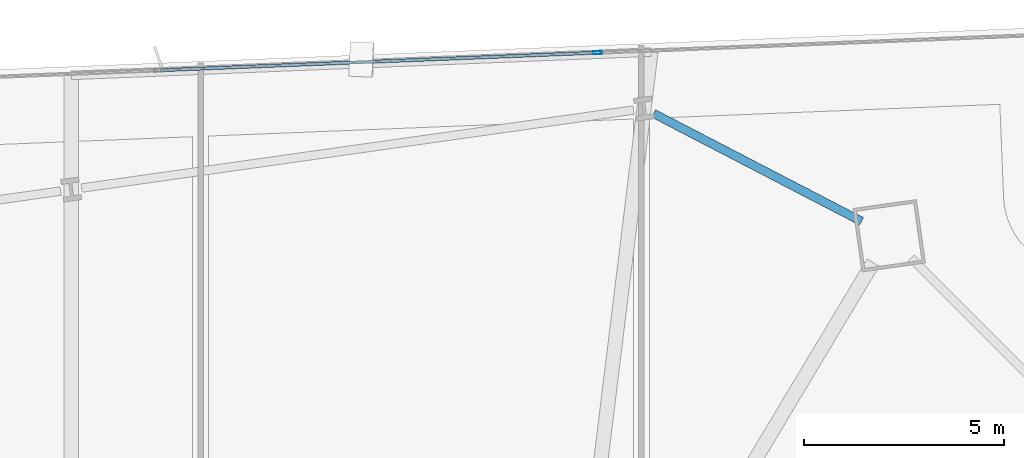
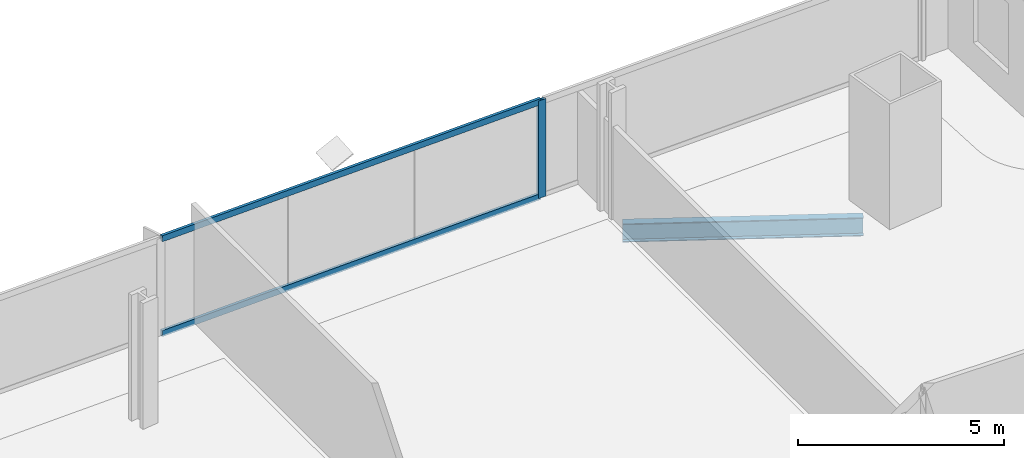
# One storey, part 22 of 32: 3 members, 1 beam, 1 element without a shape of its own.
"""IFC4 building model written with IfcOpenShell, lengths in metres."""

from ifc_helpers import new_model, si_unit, direction, frame, origin, origin_2d, place, context, subcontext, project, spatial, hollow_rectangle, i_section, extrude, material, material_profile, profile_set, type_object, element, aggregate, save


model = new_model("IFC4")

# Units and contexts
model_context = context("Model", 3, precision=1e-05, world=origin(), true_north=direction((0.0, 1.0)))
body_context = subcontext(model_context, "Body", "Model", "MODEL_VIEW")
ifc_project = project(units=[si_unit("LENGTHUNIT", "METRE"), si_unit("AREAUNIT", "SQUARE_METRE"), si_unit("VOLUMEUNIT", "CUBIC_METRE"), si_unit("PLANEANGLEUNIT", "RADIAN"), si_unit("MASSUNIT", "GRAM", prefix="KILO")], contexts=[model_context])

# Site, building, storey
site_placement = place(None, origin())
site = spatial("IfcSite", under=ifc_project, at=site_placement, CompositionType="ELEMENT")
building_placement = place(site_placement, origin())
building = spatial("IfcBuilding", under=site, at=building_placement, Name="Haldenkirk Collegiate Tower", CompositionType="ELEMENT")
storey_placement = place(building_placement, frame((0.0, 0.0, 36.449951171875)))
storey = spatial("IfcBuildingStorey", under=building, at=storey_placement, Name="L07", CompositionType="ELEMENT", Elevation=36.449951171875)

# Beam
ifc_material_1 = material(Name="Steel ASTM A992 Grade 50", Category="steel")
ifc_material_profile_1 = material_profile(ifc_material_1, i_section(OverallWidth=0.2119140625, OverallDepth=0.5439453125, WebThickness=0.01318359375, FlangeThickness=0.021240234375, at=origin_2d()), Name="W21X83")
ifc_profile_set_1 = profile_set([ifc_material_profile_1], Name="Steel ASTM A992 Grade 50")
beam_type = type_object("IfcBeamType", Name="BM-SPANDREL-W21X83", PredefinedType="SPANDREL", material=ifc_profile_set_1)
beam_placement = place(storey_placement, frame((52.4921875, 48.029296875, -0.58203125), z_axis=(-0.887648364794, 0.460521856678, 0.0), x_axis=(-0.460521856678, -0.887648364794, 0.0)))
element("IfcBeam", 1, at=beam_placement, inside=storey, type_object=beam_type, Name="L07 perimeter spandrel beam 09", PredefinedType="SPANDREL", context=body_context, shape_type="SweptSolid", body=[
    extrude(i_section(OverallWidth=0.2119140625, OverallDepth=0.5439453125, WebThickness=0.01318359375, FlangeThickness=0.021240234375, at=origin_2d()), origin(), (0.0, 0.0, 1.0), 5.848388671875),
])

# Curtain wall, members
ifc_material_2 = material(Name="Anodised architectural bronze aluminium", Category="aluminium")
curtain_wall_type = type_object("IfcCurtainWallType", Name="CW-SYS1-CONVEX-LOW", PredefinedType="USERDEFINED", material=ifc_material_2)
curtain_wall_placement = place(storey_placement, origin())
curtain_wall = element("IfcCurtainWall", 2, at=curtain_wall_placement, inside=storey, type_object=curtain_wall_type, Name="L07 Lower tower convex bronze-framed unitised curtain wall", ObjectType="UNITISED CURTAIN WALL", PredefinedType="USERDEFINED")
ifc_material_profile_2 = material_profile(ifc_material_2, hollow_rectangle(XDim=0.080078125, YDim=0.219970703125, WallThickness=0.0048828125, at=origin_2d()), Name="CW-MUL-1A")
ifc_profile_set_2 = profile_set([ifc_material_profile_2], Name="Anodised architectural bronze aluminium")
member_type_1 = type_object("IfcMemberType", Name="CW-MUL-1A", PredefinedType="MULLION", material=ifc_profile_set_2)
member_1_placement = place(storey_placement, frame((45.905029296875, 52.238525390625, 0.0), z_axis=(0.0, 0.0, 1.0), x_axis=(-0.04013471179, 0.999194277861, 0.0)))
member_1 = element("IfcMember", 3, at=member_1_placement, type_object=member_type_1, Name="CW-1A mullion 4", PredefinedType="MULLION", context=body_context, shape_type="SweptSolid", body=[
    extrude(hollow_rectangle(XDim=0.080078125, YDim=0.219970703125, WallThickness=0.0048828125, at=origin_2d()), origin(), (0.0, 0.0, 1.0), 2.89111328125),
])
ifc_material_profile_3 = material_profile(ifc_material_2, hollow_rectangle(XDim=0.080078125, YDim=0.179931640625, WallThickness=0.0048828125, at=origin_2d()), Name="CW-TRN-1A")
ifc_profile_set_3 = profile_set([ifc_material_profile_3], Name="Anodised architectural bronze aluminium")
member_type_2 = type_object("IfcMemberType", Name="CW-TRN-1A", PredefinedType="USERDEFINED", material=ifc_profile_set_3)
member_2_placement = place(storey_placement, frame((35.003662109375, 51.80078125, 0.0400390625), z_axis=(0.999194235388, 0.040135769166, 0.0), x_axis=(-0.040135769166, 0.999194235388, 0.0)))
member_2 = element("IfcMember", 4, at=member_2_placement, type_object=member_type_2, Name="CW-1A transom 3.1", ObjectType="TRANSOM", PredefinedType="USERDEFINED", context=body_context, shape_type="SweptSolid", body=[
    extrude(hollow_rectangle(XDim=0.080078125, YDim=0.179931640625, WallThickness=0.0048828125, at=origin_2d()), origin(), (0.0, 0.0, 1.0), 10.8701171875),
])
member_3_placement = place(storey_placement, frame((35.003662109375, 51.80078125, 2.85107421875), z_axis=(0.999194235388, 0.040135769166, 0.0), x_axis=(-0.040135769166, 0.999194235388, 0.0)))
member_3 = element("IfcMember", 5, at=member_3_placement, type_object=member_type_2, Name="CW-1A transom 3.2", ObjectType="TRANSOM", PredefinedType="USERDEFINED", context=body_context, shape_type="SweptSolid", body=[
    extrude(hollow_rectangle(XDim=0.080078125, YDim=0.179931640625, WallThickness=0.0048828125, at=origin_2d()), origin(), (0.0, 0.0, 1.0), 10.8701171875),
])
aggregate(curtain_wall, [member_1, member_2, member_3])

save(model, "model.ifc")
